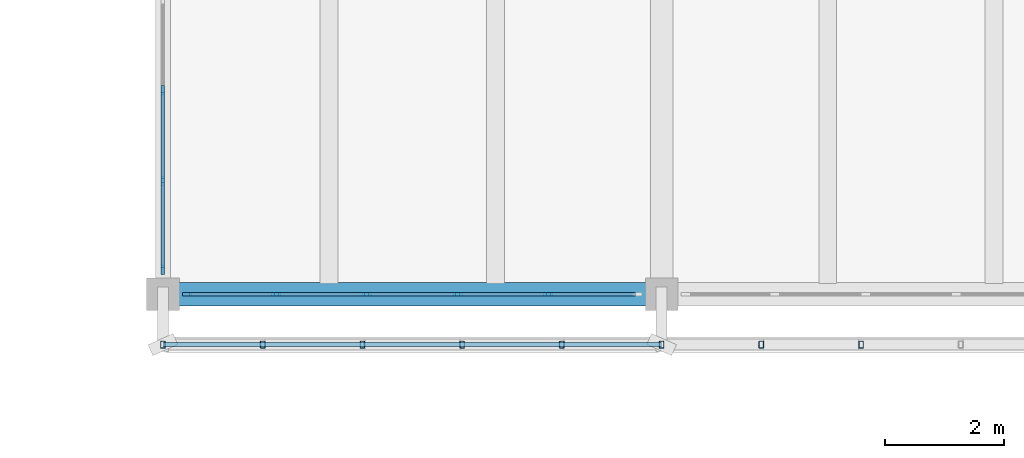
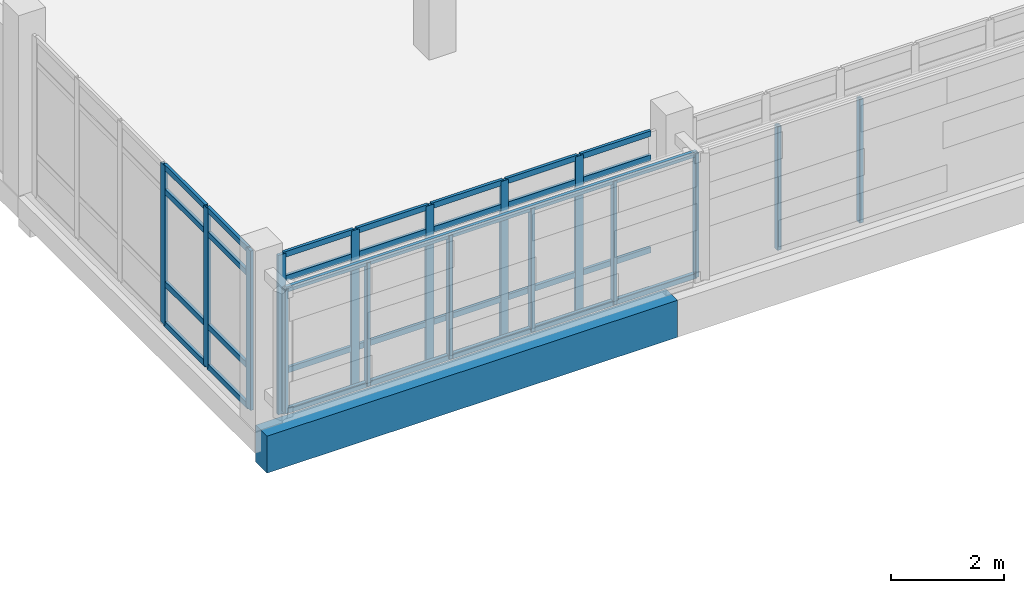
# One storey, part 40 of 117: 46 members, 1 beam, 2 elements without a shape of their own.
"""IFC4 building model written with IfcOpenShell, lengths in metres."""

from ifc_helpers import new_model, si_unit, direction, frame, origin, origin_2d, place, context, subcontext, project, spatial, rectangle, hollow_rectangle, extrude, material, material_profile, profile_set, type_object, element, aggregate, save


model = new_model("IFC4")

# Units and contexts
model_context = context("Model", 3, precision=1e-05, world=origin(), true_north=direction((0.0, 1.0)))
body_context = subcontext(model_context, "Body", "Model", "MODEL_VIEW")
ifc_project = project(units=[si_unit("LENGTHUNIT", "METRE"), si_unit("AREAUNIT", "SQUARE_METRE"), si_unit("VOLUMEUNIT", "CUBIC_METRE"), si_unit("PLANEANGLEUNIT", "RADIAN"), si_unit("MASSUNIT", "GRAM", prefix="KILO")], contexts=[model_context])

# Site, building, storey
site_placement = place(None, origin())
site = spatial("IfcSite", under=ifc_project, at=site_placement, CompositionType="ELEMENT")
building_placement = place(site_placement, origin())
building = spatial("IfcBuilding", under=site, at=building_placement, Name="Cinderway Yard Community Centre", CompositionType="ELEMENT")
storey_placement = place(building_placement, frame((0.0, 0.0, 9.0)))
storey = spatial("IfcBuildingStorey", under=building, at=storey_placement, Name="L02", CompositionType="ELEMENT", Elevation=9.0)

# Curtain wall, members
ifc_material_1 = material(Name="Aluminium 6063-T6", Category="aluminium")
curtain_wall_type = type_object("IfcCurtainWallType", Name="ENV-CW-TYPE-29", PredefinedType="USERDEFINED", material=ifc_material_1)
curtain_wall_1_placement = place(storey_placement, origin())
curtain_wall_1 = element("IfcCurtainWall", 1, at=curtain_wall_1_placement, inside=storey, type_object=curtain_wall_type, Name="V4 Courtyard Curtain Wall ENV-CW-L02-ST-0143", ObjectType="GLAZED CURTAIN WALL", PredefinedType="USERDEFINED")
ifc_material_profile_1 = material_profile(ifc_material_1, rectangle(XDim=0.06005859375, YDim=0.159912109375, at=origin_2d()), Name="Aluminium 6063-T6")
ifc_profile_set_1 = profile_set([ifc_material_profile_1], Name="Aluminium 6063-T6")
member_type_1 = type_object("IfcMemberType", Name="ENV-CW-MULL-150", PredefinedType="MULLION", material=ifc_profile_set_1)
member_1_placement = place(storey_placement, frame((42.010009765625, 90.0, 0.0), z_axis=(0.0, 0.0, 1.0), x_axis=(0.0, 1.0, 0.0)))
member_1 = element("IfcMember", 2, at=member_1_placement, type_object=member_type_1, Name="CW-29 mullion 1", PredefinedType="MULLION", context=body_context, shape_type="SweptSolid", body=[
    extrude(rectangle(XDim=0.06005859375, YDim=0.159912109375, at=origin_2d()), origin(), (0.0, 0.0, 1.0), 3.449951171875),
])
member_2_placement = place(storey_placement, frame((43.508056640625, 90.0, 0.0), z_axis=(0.0, 0.0, 1.0), x_axis=(0.0, 1.0, 0.0)))
member_2 = element("IfcMember", 3, at=member_2_placement, type_object=member_type_1, Name="CW-29 mullion 2", PredefinedType="MULLION", context=body_context, shape_type="SweptSolid", body=[
    extrude(rectangle(XDim=0.06005859375, YDim=0.159912109375, at=origin_2d()), origin(), (0.0, 0.0, 1.0), 3.449951171875),
])
member_3_placement = place(storey_placement, frame((45.035888671875, 90.0, 0.0), z_axis=(0.0, 0.0, 1.0), x_axis=(0.0, 1.0, 0.0)))
member_3 = element("IfcMember", 4, at=member_3_placement, type_object=member_type_1, Name="CW-29 mullion 3", PredefinedType="MULLION", context=body_context, shape_type="SweptSolid", body=[
    extrude(rectangle(XDim=0.06005859375, YDim=0.159912109375, at=origin_2d()), origin(), (0.0, 0.0, 1.0), 3.449951171875),
])
member_4_placement = place(storey_placement, frame((46.56396484375, 90.0, 0.0), z_axis=(0.0, 0.0, 1.0), x_axis=(0.0, 1.0, 0.0)))
member_4 = element("IfcMember", 5, at=member_4_placement, type_object=member_type_1, Name="CW-29 mullion 4", PredefinedType="MULLION", context=body_context, shape_type="SweptSolid", body=[
    extrude(rectangle(XDim=0.06005859375, YDim=0.159912109375, at=origin_2d()), origin(), (0.0, 0.0, 1.0), 3.449951171875),
])
member_5_placement = place(storey_placement, frame((48.092041015625, 90.0, 0.0), z_axis=(0.0, 0.0, 1.0), x_axis=(0.0, 1.0, 0.0)))
member_5 = element("IfcMember", 6, at=member_5_placement, type_object=member_type_1, Name="CW-29 mullion 5", PredefinedType="MULLION", context=body_context, shape_type="SweptSolid", body=[
    extrude(rectangle(XDim=0.06005859375, YDim=0.159912109375, at=origin_2d()), origin(), (0.0, 0.0, 1.0), 3.449951171875),
])

curtain_wall_2_placement = place(storey_placement, origin())
curtain_wall_2 = element("IfcCurtainWall", 7, at=curtain_wall_2_placement, inside=storey, type_object=curtain_wall_type, Name="V4 West End Curtain Wall ENV-CW-L02-ST-0159", ObjectType="GLAZED CURTAIN WALL", PredefinedType="USERDEFINED")
member_6_placement = place(storey_placement, frame((41.60009765625, 90.409912109375, 0.0), z_axis=(0.0, 0.0, 1.0), x_axis=(-1.0, 0.0, 0.0)))
member_6 = element("IfcMember", 8, at=member_6_placement, type_object=member_type_1, Name="CW-29 mullion 1", PredefinedType="MULLION", context=body_context, shape_type="SweptSolid", body=[
    extrude(rectangle(XDim=0.06005859375, YDim=0.159912109375, at=origin_2d()), origin(), (0.0, 0.0, 1.0), 3.449951171875),
])
member_7_placement = place(storey_placement, frame((41.60009765625, 91.907958984375, 0.0), z_axis=(0.0, 0.0, 1.0), x_axis=(-1.0, 0.0, 0.0)))
member_7 = element("IfcMember", 9, at=member_7_placement, type_object=member_type_1, Name="CW-29 mullion 2", PredefinedType="MULLION", context=body_context, shape_type="SweptSolid", body=[
    extrude(rectangle(XDim=0.06005859375, YDim=0.159912109375, at=origin_2d()), origin(), (0.0, 0.0, 1.0), 3.449951171875),
])
member_8_placement = place(storey_placement, frame((41.60009765625, 93.43603515625, 0.0), z_axis=(0.0, 0.0, 1.0), x_axis=(-1.0, 0.0, 0.0)))
member_8 = element("IfcMember", 10, at=member_8_placement, type_object=member_type_1, Name="CW-29 mullion 3", PredefinedType="MULLION", context=body_context, shape_type="SweptSolid", body=[
    extrude(rectangle(XDim=0.06005859375, YDim=0.159912109375, at=origin_2d()), origin(), (0.0, 0.0, 1.0), 3.449951171875),
])

# Member
ifc_material_profile_2 = material_profile(ifc_material_1, rectangle(XDim=0.06005859375, YDim=0.1201171875, at=origin_2d()), Name="Aluminium 6063-T6")
ifc_profile_set_2 = profile_set([ifc_material_profile_2], Name="Aluminium 6063-T6")
member_type_2 = type_object("IfcMemberType", Name="ENV-CW-TRAN-110", PredefinedType="USERDEFINED", material=ifc_profile_set_2)
member_9_placement = place(storey_placement, frame((42.0400390625, 90.0, 0.030029296875), z_axis=(1.0, 0.0, 0.0), x_axis=(0.0, 1.0, 0.0)))
member_9 = element("IfcMember", 11, at=member_9_placement, type_object=member_type_2, Name="CW-29 transom 1.1", ObjectType="TRANSOM", PredefinedType="USERDEFINED", context=body_context, shape_type="SweptSolid", body=[
    extrude(rectangle(XDim=0.06005859375, YDim=0.1201171875, at=origin_2d()), origin(), (0.0, 0.0, 1.0), 1.43798828125),
])

member_10_placement = place(storey_placement, frame((42.0400390625, 90.0, 0.89990234375), z_axis=(1.0, 0.0, 0.0), x_axis=(0.0, 1.0, 0.0)))
member_10 = element("IfcMember", 12, at=member_10_placement, type_object=member_type_2, Name="CW-29 transom 1.2", ObjectType="TRANSOM", PredefinedType="USERDEFINED", context=body_context, shape_type="SweptSolid", body=[
    extrude(rectangle(XDim=0.06005859375, YDim=0.1201171875, at=origin_2d()), origin(), (0.0, 0.0, 1.0), 1.43798828125),
])

member_11_placement = place(storey_placement, frame((42.0400390625, 90.0, 2.89990234375), z_axis=(1.0, 0.0, 0.0), x_axis=(0.0, 1.0, 0.0)))
member_11 = element("IfcMember", 13, at=member_11_placement, type_object=member_type_2, Name="CW-29 transom 1.3", ObjectType="TRANSOM", PredefinedType="USERDEFINED", context=body_context, shape_type="SweptSolid", body=[
    extrude(rectangle(XDim=0.06005859375, YDim=0.1201171875, at=origin_2d()), origin(), (0.0, 0.0, 1.0), 1.43798828125),
])

member_12_placement = place(storey_placement, frame((42.0400390625, 90.0, 3.419921875), z_axis=(1.0, 0.0, 0.0), x_axis=(0.0, 1.0, 0.0)))
member_12 = element("IfcMember", 14, at=member_12_placement, type_object=member_type_2, Name="CW-29 transom 1.4", ObjectType="TRANSOM", PredefinedType="USERDEFINED", context=body_context, shape_type="SweptSolid", body=[
    extrude(rectangle(XDim=0.06005859375, YDim=0.1201171875, at=origin_2d()), origin(), (0.0, 0.0, 1.0), 1.43798828125),
])

member_13_placement = place(storey_placement, frame((43.5380859375, 90.0, 0.030029296875), z_axis=(1.0, 0.0, 0.0), x_axis=(0.0, 1.0, 0.0)))
member_13 = element("IfcMember", 15, at=member_13_placement, type_object=member_type_2, Name="CW-29 transom 2.1", ObjectType="TRANSOM", PredefinedType="USERDEFINED", context=body_context, shape_type="SweptSolid", body=[
    extrude(rectangle(XDim=0.06005859375, YDim=0.1201171875, at=origin_2d()), origin(), (0.0, 0.0, 1.0), 1.468017578125),
])

member_14_placement = place(storey_placement, frame((43.5380859375, 90.0, 0.89990234375), z_axis=(1.0, 0.0, 0.0), x_axis=(0.0, 1.0, 0.0)))
member_14 = element("IfcMember", 16, at=member_14_placement, type_object=member_type_2, Name="CW-29 transom 2.2", ObjectType="TRANSOM", PredefinedType="USERDEFINED", context=body_context, shape_type="SweptSolid", body=[
    extrude(rectangle(XDim=0.06005859375, YDim=0.1201171875, at=origin_2d()), origin(), (0.0, 0.0, 1.0), 1.468017578125),
])

member_15_placement = place(storey_placement, frame((43.5380859375, 90.0, 2.89990234375), z_axis=(1.0, 0.0, 0.0), x_axis=(0.0, 1.0, 0.0)))
member_15 = element("IfcMember", 17, at=member_15_placement, type_object=member_type_2, Name="CW-29 transom 2.3", ObjectType="TRANSOM", PredefinedType="USERDEFINED", context=body_context, shape_type="SweptSolid", body=[
    extrude(rectangle(XDim=0.06005859375, YDim=0.1201171875, at=origin_2d()), origin(), (0.0, 0.0, 1.0), 1.468017578125),
])

member_16_placement = place(storey_placement, frame((43.5380859375, 90.0, 3.419921875), z_axis=(1.0, 0.0, 0.0), x_axis=(0.0, 1.0, 0.0)))
member_16 = element("IfcMember", 18, at=member_16_placement, type_object=member_type_2, Name="CW-29 transom 2.4", ObjectType="TRANSOM", PredefinedType="USERDEFINED", context=body_context, shape_type="SweptSolid", body=[
    extrude(rectangle(XDim=0.06005859375, YDim=0.1201171875, at=origin_2d()), origin(), (0.0, 0.0, 1.0), 1.468017578125),
])

member_17_placement = place(storey_placement, frame((45.06591796875, 90.0, 0.030029296875), z_axis=(1.0, 0.0, 0.0), x_axis=(0.0, 1.0, 0.0)))
member_17 = element("IfcMember", 19, at=member_17_placement, type_object=member_type_2, Name="CW-29 transom 3.1", ObjectType="TRANSOM", PredefinedType="USERDEFINED", context=body_context, shape_type="SweptSolid", body=[
    extrude(rectangle(XDim=0.06005859375, YDim=0.1201171875, at=origin_2d()), origin(), (0.0, 0.0, 1.0), 1.468017578125),
])

member_18_placement = place(storey_placement, frame((45.06591796875, 90.0, 0.89990234375), z_axis=(1.0, 0.0, 0.0), x_axis=(0.0, 1.0, 0.0)))
member_18 = element("IfcMember", 20, at=member_18_placement, type_object=member_type_2, Name="CW-29 transom 3.2", ObjectType="TRANSOM", PredefinedType="USERDEFINED", context=body_context, shape_type="SweptSolid", body=[
    extrude(rectangle(XDim=0.06005859375, YDim=0.1201171875, at=origin_2d()), origin(), (0.0, 0.0, 1.0), 1.468017578125),
])

member_19_placement = place(storey_placement, frame((45.06591796875, 90.0, 2.89990234375), z_axis=(1.0, 0.0, 0.0), x_axis=(0.0, 1.0, 0.0)))
member_19 = element("IfcMember", 21, at=member_19_placement, type_object=member_type_2, Name="CW-29 transom 3.3", ObjectType="TRANSOM", PredefinedType="USERDEFINED", context=body_context, shape_type="SweptSolid", body=[
    extrude(rectangle(XDim=0.06005859375, YDim=0.1201171875, at=origin_2d()), origin(), (0.0, 0.0, 1.0), 1.468017578125),
])

member_20_placement = place(storey_placement, frame((45.06591796875, 90.0, 3.419921875), z_axis=(1.0, 0.0, 0.0), x_axis=(0.0, 1.0, 0.0)))
member_20 = element("IfcMember", 22, at=member_20_placement, type_object=member_type_2, Name="CW-29 transom 3.4", ObjectType="TRANSOM", PredefinedType="USERDEFINED", context=body_context, shape_type="SweptSolid", body=[
    extrude(rectangle(XDim=0.06005859375, YDim=0.1201171875, at=origin_2d()), origin(), (0.0, 0.0, 1.0), 1.468017578125),
])

member_21_placement = place(storey_placement, frame((46.593994140625, 90.0, 0.030029296875), z_axis=(1.0, 0.0, 0.0), x_axis=(0.0, 1.0, 0.0)))
member_21 = element("IfcMember", 23, at=member_21_placement, type_object=member_type_2, Name="CW-29 transom 4.1", ObjectType="TRANSOM", PredefinedType="USERDEFINED", context=body_context, shape_type="SweptSolid", body=[
    extrude(rectangle(XDim=0.06005859375, YDim=0.1201171875, at=origin_2d()), origin(), (0.0, 0.0, 1.0), 1.468017578125),
])

member_22_placement = place(storey_placement, frame((46.593994140625, 90.0, 0.89990234375), z_axis=(1.0, 0.0, 0.0), x_axis=(0.0, 1.0, 0.0)))
member_22 = element("IfcMember", 24, at=member_22_placement, type_object=member_type_2, Name="CW-29 transom 4.2", ObjectType="TRANSOM", PredefinedType="USERDEFINED", context=body_context, shape_type="SweptSolid", body=[
    extrude(rectangle(XDim=0.06005859375, YDim=0.1201171875, at=origin_2d()), origin(), (0.0, 0.0, 1.0), 1.468017578125),
])

member_23_placement = place(storey_placement, frame((46.593994140625, 90.0, 2.89990234375), z_axis=(1.0, 0.0, 0.0), x_axis=(0.0, 1.0, 0.0)))
member_23 = element("IfcMember", 25, at=member_23_placement, type_object=member_type_2, Name="CW-29 transom 4.3", ObjectType="TRANSOM", PredefinedType="USERDEFINED", context=body_context, shape_type="SweptSolid", body=[
    extrude(rectangle(XDim=0.06005859375, YDim=0.1201171875, at=origin_2d()), origin(), (0.0, 0.0, 1.0), 1.468017578125),
])

member_24_placement = place(storey_placement, frame((46.593994140625, 90.0, 3.419921875), z_axis=(1.0, 0.0, 0.0), x_axis=(0.0, 1.0, 0.0)))
member_24 = element("IfcMember", 26, at=member_24_placement, type_object=member_type_2, Name="CW-29 transom 4.4", ObjectType="TRANSOM", PredefinedType="USERDEFINED", context=body_context, shape_type="SweptSolid", body=[
    extrude(rectangle(XDim=0.06005859375, YDim=0.1201171875, at=origin_2d()), origin(), (0.0, 0.0, 1.0), 1.468017578125),
])

member_25_placement = place(storey_placement, frame((48.1220703125, 90.0, 0.030029296875), z_axis=(1.0, 0.0, 0.0), x_axis=(0.0, 1.0, 0.0)))
member_25 = element("IfcMember", 27, at=member_25_placement, type_object=member_type_2, Name="CW-29 transom 5.1", ObjectType="TRANSOM", PredefinedType="USERDEFINED", context=body_context, shape_type="SweptSolid", body=[
    extrude(rectangle(XDim=0.06005859375, YDim=0.1201171875, at=origin_2d()), origin(), (0.0, 0.0, 1.0), 1.43798828125),
])

member_26_placement = place(storey_placement, frame((48.1220703125, 90.0, 0.89990234375), z_axis=(1.0, 0.0, 0.0), x_axis=(0.0, 1.0, 0.0)))
member_26 = element("IfcMember", 28, at=member_26_placement, type_object=member_type_2, Name="CW-29 transom 5.2", ObjectType="TRANSOM", PredefinedType="USERDEFINED", context=body_context, shape_type="SweptSolid", body=[
    extrude(rectangle(XDim=0.06005859375, YDim=0.1201171875, at=origin_2d()), origin(), (0.0, 0.0, 1.0), 1.43798828125),
])

member_27_placement = place(storey_placement, frame((48.1220703125, 90.0, 2.89990234375), z_axis=(1.0, 0.0, 0.0), x_axis=(0.0, 1.0, 0.0)))
member_27 = element("IfcMember", 29, at=member_27_placement, type_object=member_type_2, Name="CW-29 transom 5.3", ObjectType="TRANSOM", PredefinedType="USERDEFINED", context=body_context, shape_type="SweptSolid", body=[
    extrude(rectangle(XDim=0.06005859375, YDim=0.1201171875, at=origin_2d()), origin(), (0.0, 0.0, 1.0), 1.43798828125),
])

member_28_placement = place(storey_placement, frame((48.1220703125, 90.0, 3.419921875), z_axis=(1.0, 0.0, 0.0), x_axis=(0.0, 1.0, 0.0)))
member_28 = element("IfcMember", 30, at=member_28_placement, type_object=member_type_2, Name="CW-29 transom 5.4", ObjectType="TRANSOM", PredefinedType="USERDEFINED", context=body_context, shape_type="SweptSolid", body=[
    extrude(rectangle(XDim=0.06005859375, YDim=0.1201171875, at=origin_2d()), origin(), (0.0, 0.0, 1.0), 1.43798828125),
])

aggregate(curtain_wall_1, [member_1, member_2, member_3, member_4, member_5, member_9, member_10, member_11, member_12, member_13, member_14, member_15, member_16, member_17, member_18, member_19, member_20, member_21, member_22, member_23, member_24, member_25, member_26, member_27, member_28])

member_29_placement = place(storey_placement, frame((41.60009765625, 90.43994140625, 0.030029296875), z_axis=(0.0, 1.0, 0.0), x_axis=(-1.0, 0.0, 0.0)))
member_29 = element("IfcMember", 31, at=member_29_placement, type_object=member_type_2, Name="CW-29 transom 1.1", ObjectType="TRANSOM", PredefinedType="USERDEFINED", context=body_context, shape_type="SweptSolid", body=[
    extrude(rectangle(XDim=0.06005859375, YDim=0.1201171875, at=origin_2d()), origin(), (0.0, 0.0, 1.0), 1.43798828125),
])

member_30_placement = place(storey_placement, frame((41.60009765625, 90.43994140625, 0.89990234375), z_axis=(0.0, 1.0, 0.0), x_axis=(-1.0, 0.0, 0.0)))
member_30 = element("IfcMember", 32, at=member_30_placement, type_object=member_type_2, Name="CW-29 transom 1.2", ObjectType="TRANSOM", PredefinedType="USERDEFINED", context=body_context, shape_type="SweptSolid", body=[
    extrude(rectangle(XDim=0.06005859375, YDim=0.1201171875, at=origin_2d()), origin(), (0.0, 0.0, 1.0), 1.43798828125),
])

member_31_placement = place(storey_placement, frame((41.60009765625, 90.43994140625, 2.89990234375), z_axis=(0.0, 1.0, 0.0), x_axis=(-1.0, 0.0, 0.0)))
member_31 = element("IfcMember", 33, at=member_31_placement, type_object=member_type_2, Name="CW-29 transom 1.3", ObjectType="TRANSOM", PredefinedType="USERDEFINED", context=body_context, shape_type="SweptSolid", body=[
    extrude(rectangle(XDim=0.06005859375, YDim=0.1201171875, at=origin_2d()), origin(), (0.0, 0.0, 1.0), 1.43798828125),
])

member_32_placement = place(storey_placement, frame((41.60009765625, 90.43994140625, 3.419921875), z_axis=(0.0, 1.0, 0.0), x_axis=(-1.0, 0.0, 0.0)))
member_32 = element("IfcMember", 34, at=member_32_placement, type_object=member_type_2, Name="CW-29 transom 1.4", ObjectType="TRANSOM", PredefinedType="USERDEFINED", context=body_context, shape_type="SweptSolid", body=[
    extrude(rectangle(XDim=0.06005859375, YDim=0.1201171875, at=origin_2d()), origin(), (0.0, 0.0, 1.0), 1.43798828125),
])

member_33_placement = place(storey_placement, frame((41.60009765625, 91.93798828125, 0.030029296875), z_axis=(0.0, 1.0, 0.0), x_axis=(-1.0, 0.0, 0.0)))
member_33 = element("IfcMember", 35, at=member_33_placement, type_object=member_type_2, Name="CW-29 transom 2.1", ObjectType="TRANSOM", PredefinedType="USERDEFINED", context=body_context, shape_type="SweptSolid", body=[
    extrude(rectangle(XDim=0.06005859375, YDim=0.1201171875, at=origin_2d()), origin(), (0.0, 0.0, 1.0), 1.468017578125),
])

member_34_placement = place(storey_placement, frame((41.60009765625, 91.93798828125, 0.89990234375), z_axis=(0.0, 1.0, 0.0), x_axis=(-1.0, 0.0, 0.0)))
member_34 = element("IfcMember", 36, at=member_34_placement, type_object=member_type_2, Name="CW-29 transom 2.2", ObjectType="TRANSOM", PredefinedType="USERDEFINED", context=body_context, shape_type="SweptSolid", body=[
    extrude(rectangle(XDim=0.06005859375, YDim=0.1201171875, at=origin_2d()), origin(), (0.0, 0.0, 1.0), 1.468017578125),
])

member_35_placement = place(storey_placement, frame((41.60009765625, 91.93798828125, 2.89990234375), z_axis=(0.0, 1.0, 0.0), x_axis=(-1.0, 0.0, 0.0)))
member_35 = element("IfcMember", 37, at=member_35_placement, type_object=member_type_2, Name="CW-29 transom 2.3", ObjectType="TRANSOM", PredefinedType="USERDEFINED", context=body_context, shape_type="SweptSolid", body=[
    extrude(rectangle(XDim=0.06005859375, YDim=0.1201171875, at=origin_2d()), origin(), (0.0, 0.0, 1.0), 1.468017578125),
])

member_36_placement = place(storey_placement, frame((41.60009765625, 91.93798828125, 3.419921875), z_axis=(0.0, 1.0, 0.0), x_axis=(-1.0, 0.0, 0.0)))
member_36 = element("IfcMember", 38, at=member_36_placement, type_object=member_type_2, Name="CW-29 transom 2.4", ObjectType="TRANSOM", PredefinedType="USERDEFINED", context=body_context, shape_type="SweptSolid", body=[
    extrude(rectangle(XDim=0.06005859375, YDim=0.1201171875, at=origin_2d()), origin(), (0.0, 0.0, 1.0), 1.468017578125),
])

aggregate(curtain_wall_2, [member_6, member_7, member_8, member_29, member_30, member_31, member_32, member_33, member_34, member_35, member_36])

# Members
ifc_material_2 = material(Name="Steel S355", Category="steel")
ifc_material_profile_3 = material_profile(ifc_material_2, hollow_rectangle(XDim=0.080078125, YDim=0.1201171875, WallThickness=0.00634765625, InnerFilletRadius=0.00634765625, OuterFilletRadius=0.0126953125, at=origin_2d()), Name="Steel S355")
ifc_profile_set_3 = profile_set([ifc_material_profile_3], Name="Steel S355")
member_type_3 = type_object("IfcMemberType", Name="ENV-MEM-SCREEN-RAIL-120", PredefinedType="STRINGER", material=ifc_profile_set_3)
for number, where, z_axis, x_axis, name in (
    (39, (41.60009765625, 89.14990234375, 0.7099609375), (1.0, 0.0, 0.0), (0.0, 1.0, 0.0), "Screen support rail 0414-BOT"),
    (40, (41.60009765625, 89.14990234375, 3.340087890625), (1.0, 0.0, 0.0), (0.0, 1.0, 0.0), "Screen support rail 0415-TOP"),
):
    element("IfcMember", number, at=place(storey_placement, frame(where, z_axis=z_axis, x_axis=x_axis)), inside=storey, type_object=member_type_3, Name=name, PredefinedType="STRINGER", context=body_context, shape_type="SweptSolid", body=[
        extrude(hollow_rectangle(XDim=0.080078125, YDim=0.1201171875, WallThickness=0.00634765625, InnerFilletRadius=0.00634765625, OuterFilletRadius=0.0126953125, at=origin_2d()), origin(), (0.0, 0.0, 1.0), 8.39990234375),
    ])
for number, where, z_axis, x_axis, name in (
    (41, (41.60009765625, 89.14990234375, 0.68994140625), (0.0, 0.0, 1.0), (1.0, 0.0, 0.0), "Screen vertical mullion 0416"),
    (42, (43.280029296875, 89.14990234375, 0.68994140625), (0.0, 0.0, 1.0), (1.0, 0.0, 0.0), "Screen vertical mullion 0417"),
    (43, (44.9599609375, 89.14990234375, 0.68994140625), (0.0, 0.0, 1.0), (1.0, 0.0, 0.0), "Screen vertical mullion 0418"),
    (44, (46.639892578125, 89.14990234375, 0.68994140625), (0.0, 0.0, 1.0), (1.0, 0.0, 0.0), "Screen vertical mullion 0419"),
    (45, (48.320068359375, 89.14990234375, 0.68994140625), (0.0, 0.0, 1.0), (1.0, 0.0, 0.0), "Screen vertical mullion 0420"),
    (46, (50.0, 89.14990234375, 0.68994140625), (0.0, 0.0, 1.0), (1.0, 0.0, 0.0), "Screen vertical mullion 0421"),
    (47, (51.679931640625, 89.14990234375, 0.68994140625), (0.0, 0.0, 1.0), (1.0, 0.0, 0.0), "Screen vertical mullion 0425"),
    (48, (53.360107421875, 89.14990234375, 0.68994140625), (0.0, 0.0, 1.0), (1.0, 0.0, 0.0), "Screen vertical mullion 0426"),
):
    element("IfcMember", number, at=place(storey_placement, frame(where, z_axis=z_axis, x_axis=x_axis)), inside=storey, type_object=member_type_3, Name=name, PredefinedType="STRINGER", context=body_context, shape_type="SweptSolid", body=[
        extrude(hollow_rectangle(XDim=0.080078125, YDim=0.1201171875, WallThickness=0.00634765625, InnerFilletRadius=0.00634765625, OuterFilletRadius=0.0126953125, at=origin_2d()), origin(), (0.0, 0.0, 1.0), 2.670166015625),
    ])

# Beam
ifc_material_3 = material(Name="Concrete C40/50", Category="concrete")
ifc_material_profile_4 = material_profile(ifc_material_3, rectangle(XDim=0.39990234375, YDim=0.800048828125, at=origin_2d()), Name="Concrete C40/50")
ifc_profile_set_4 = profile_set([ifc_material_profile_4], Name="Concrete C40/50")
beam_type = type_object("IfcBeamType", Name="STR-BM-RC400X800", PredefinedType="BEAM", material=ifc_profile_set_4)
beam_placement = place(storey_placement, frame((41.60009765625, 90.0, -0.639892578125), z_axis=(1.0, 0.0, 0.0), x_axis=(0.0, 1.0, 0.0)))
element("IfcBeam", 49, at=beam_placement, inside=storey, type_object=beam_type, Name="Primary girder STR-BM-L02-BG05-0496", PredefinedType="BEAM", context=body_context, shape_type="SweptSolid", body=[
    extrude(rectangle(XDim=0.39990234375, YDim=0.800048828125, at=origin_2d()), origin(), (0.0, 0.0, 1.0), 8.39990234375),
])

save(model, "model.ifc")
